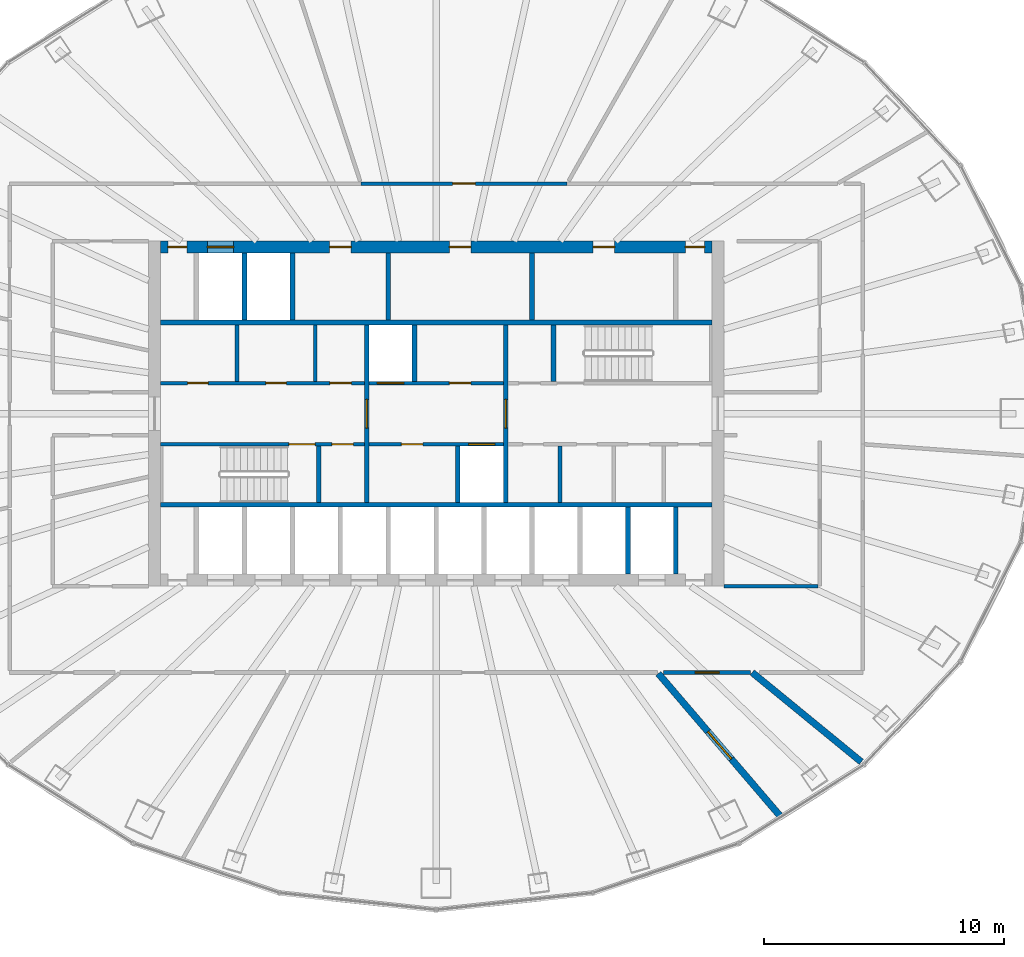
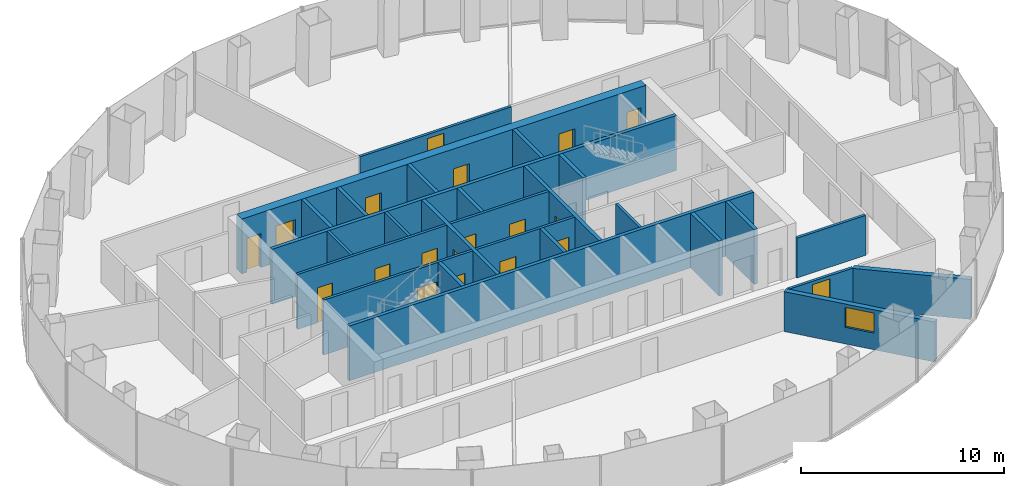
# One storey, part 9 of 11: 27 walls, 19 doors, 1 window, 20 openings.
"""IFC4 building model written with IfcOpenShell, lengths in metres."""

import ifcopenshell
import ifcopenshell.guid

model = None  # the IFC model being written
_history = None  # IfcOwnerHistory: only IFC2X3 demands one
_inside = {}  # id of a spatial element -> (the spatial element, [elements in it])
_under = {}  # id of a project, library or spatial element -> (it, [spatial elements below it])
_declared = {}  # id of a project -> (the project, [libraries it declares])
_typed = {}  # id of a type object -> (the type object, [elements of that type])
_made_of = {}  # id of a material, layer set ... -> (it, [elements and type objects made of it])


def new_model(schema):
    """Start an empty IFC model of exactly this schema.

    Asked for "IFC4X3", IfcOpenShell would pick the latest addendum, in which some entities
    have other attributes; the version numbers below select the first issue.
    IFC2X3 requires an IfcOwnerHistory on every rooted entity: one is made here for all.
    """
    global model, _history
    if schema == "IFC4X3":
        model = ifcopenshell.file(schema_version=(4, 3, 0, 0))
    else:
        model = ifcopenshell.file(schema=schema)
    _inside.clear()
    _under.clear()
    _declared.clear()
    _typed.clear()
    _made_of.clear()
    _history = None
    if model.schema == "IFC2X3":
        org = make("IfcOrganization", Name="unknown")
        user = make(
            "IfcPersonAndOrganization",
            ThePerson=make("IfcPerson", FamilyName="unknown"),
            TheOrganization=org,
        )
        app = make(
            "IfcApplication",
            ApplicationDeveloper=org,
            Version="unknown",
            ApplicationFullName="unknown",
            ApplicationIdentifier="unknown",
        )
        _history = make(
            "IfcOwnerHistory",
            OwningUser=user,
            OwningApplication=app,
            ChangeAction="ADDED",
            CreationDate=0,
        )
    return model


def make(cls, **values):
    """One entity of the class cls with the attributes given. An attribute that is None is left unset."""
    return model.create_entity(
        cls, **{name: value for name, value in values.items() if value is not None}
    )


def rooted(cls, **values):
    """An entity with a GlobalId (a new one), such as an element, a storey or a relation."""
    return make(cls, GlobalId=ifcopenshell.guid.new(), OwnerHistory=_history, **values)


def si_unit(unit_type, name, prefix=None):
    """IfcSIUnit, for example si_unit("LENGTHUNIT", "METRE", prefix="MILLI")."""
    return make("IfcSIUnit", UnitType=unit_type, Prefix=prefix, Name=name)


def assignment(units):
    """IfcUnitAssignment: the units of a project."""
    return None if units is None else make("IfcUnitAssignment", Units=units)


def point(xyz):
    """IfcCartesianPoint."""
    return None if xyz is None else make("IfcCartesianPoint", Coordinates=xyz)


def direction(xyz):
    """IfcDirection."""
    return None if xyz is None else make("IfcDirection", DirectionRatios=xyz)


def frame(location, z_axis=None, x_axis=None):
    """IfcAxis2Placement3D, a coordinate frame: its origin and axes. An axis left out is left unset."""
    return make(
        "IfcAxis2Placement3D",
        Location=point(location),
        Axis=direction(z_axis),
        RefDirection=direction(x_axis),
    )


def frame_2d(location, x_axis=None):
    """IfcAxis2Placement2D, a coordinate frame in the plane: its origin and x axis."""
    return make(
        "IfcAxis2Placement2D", Location=point(location), RefDirection=direction(x_axis)
    )


def origin():
    """The frame at (0, 0, 0) with its axes left unset."""
    return frame((0.0, 0.0, 0.0))


def place(relative_to, where):
    """IfcLocalPlacement: puts the frame where relative to a parent placement (None: the world)."""
    return make(
        "IfcLocalPlacement", PlacementRelTo=relative_to, RelativePlacement=where
    )


def context(
    kind, dimensions, precision=None, world=None, true_north=None, identifier=None
):
    """IfcGeometricRepresentationContext, for example the 3D "Model" context."""
    return make(
        "IfcGeometricRepresentationContext",
        ContextIdentifier=identifier,
        ContextType=kind,
        CoordinateSpaceDimension=dimensions,
        Precision=precision,
        WorldCoordinateSystem=world,
        TrueNorth=true_north,
    )


def subcontext(parent, identifier, kind, view, scale=None):
    """IfcGeometricRepresentationSubContext, for example "Body" below "Model"."""
    return make(
        "IfcGeometricRepresentationSubContext",
        ContextIdentifier=identifier,
        ContextType=kind,
        ParentContext=parent,
        TargetScale=scale,
        TargetView=view,
    )


def project(units=None, contexts=None):
    """IfcProject with its units and contexts."""
    return rooted(
        "IfcProject",
        Name="project",
        RepresentationContexts=contexts,
        UnitsInContext=assignment(units),
    )


def spatial(cls, under=None, at=None, **own):
    """A site, building, storey or space (cls), placed at a placement, below another one or the project."""
    s = rooted(cls, ObjectPlacement=at, **own)
    if under is not None:
        _under.setdefault(under.id(), (under, []))[1].append(s)
    return s


def profile(cls, at=None, kind="AREA", **sizes):
    """A parametric profile (cls). Its sizes go by their IFC names, for example OverallWidth=200.0."""
    return make(cls, ProfileType=kind, Position=at, **sizes)


def rectangle(**sizes):
    """IfcRectangleProfileDef."""
    return profile("IfcRectangleProfileDef", **sizes)


def extrude(swept, where, along, depth):
    """IfcExtrudedAreaSolid: the profile swept, set in the frame where, extruded along a direction by depth."""
    return make(
        "IfcExtrudedAreaSolid",
        SweptArea=swept,
        Position=where,
        ExtrudedDirection=direction(along),
        Depth=depth,
    )


def shape(context_of_items, identifier, shape_type, items):
    """IfcShapeRepresentation: the items that make up one representation, for example the "Body"."""
    return make(
        "IfcShapeRepresentation",
        ContextOfItems=context_of_items,
        RepresentationIdentifier=identifier,
        RepresentationType=shape_type,
        Items=items,
    )


def material(Name=None, Category=None):
    """IfcMaterial."""
    return make("IfcMaterial", Name=Name, Category=Category)


def layer(
    of_material, thickness, ventilated=None, Name=None, Category=None, Priority=None
):
    """IfcMaterialLayer: one layer of a wall or slab, of a material (None: an air gap)."""
    return make(
        "IfcMaterialLayer",
        Material=of_material,
        LayerThickness=thickness,
        IsVentilated=ventilated,
        Name=Name,
        Category=Category,
        Priority=Priority,
    )


def layer_set(layers, Name=None):
    """IfcMaterialLayerSet."""
    return make("IfcMaterialLayerSet", MaterialLayers=layers, LayerSetName=Name)


def made_of(thing, what):
    """Note that an element or type object is made of a material, layer set ...; save() writes the relation."""
    if what is not None:
        _made_of.setdefault(what.id(), (what, []))[1].append(thing)
    return thing


def type_object(cls, material=None, **own):
    """A type object (cls), such as IfcWallType, which elements share."""
    return made_of(rooted(cls, **own), material)


def element(
    cls,
    number,
    at=None,
    inside=None,
    cuts=None,
    type_object=None,
    material=None,
    context=None,
    identifier="Body",
    shape_type=None,
    held_by="IfcProductDefinitionShape",
    body=None,
    shapes=None,
    **own,
):
    """One element of the class cls, such as IfcWall. Its Tag is "e" and its number.

    at: its placement. inside: the storey or other place that contains it. cuts: it is an
    opening in that element (IfcRelVoidsElement). A single representation is given by context,
    identifier, shape_type and body (its items); several are given by shapes. held_by: the class
    of the entity that holds the representations. save() writes the other relations.
    """
    e = rooted(cls, Tag="e%d" % number, ObjectPlacement=at, **own)
    if body is not None:
        shapes = [shape(context, identifier, shape_type, body)]
    if shapes is not None:
        e.Representation = make(held_by, Representations=shapes)
    if inside is not None:
        _inside.setdefault(inside.id(), (inside, []))[1].append(e)
    if cuts is not None:
        rooted(
            "IfcRelVoidsElement", RelatingBuildingElement=cuts, RelatedOpeningElement=e
        )
    if type_object is not None:
        _typed.setdefault(type_object.id(), (type_object, []))[1].append(e)
    return made_of(e, material)


def fill(opening, filler):
    """IfcRelFillsElement: the door or window that sits in an opening."""
    return rooted(
        "IfcRelFillsElement",
        RelatingOpeningElement=opening,
        RelatedBuildingElement=filler,
    )


def aggregate(whole, parts):
    """IfcRelAggregates: a whole, such as a stair, and the parts it consists of."""
    return rooted("IfcRelAggregates", RelatingObject=whole, RelatedObjects=parts)


def save(model, path):
    """Write the relations noted so far, then the file.

    IfcRelAggregates (storeys below a building ...), IfcRelContainedInSpatialStructure (elements
    in a storey), IfcRelDefinesByType, IfcRelAssociatesMaterial and IfcRelDeclares: one each for
    every whole, place, type object, material and project.
    """
    for whole, parts in _under.values():
        aggregate(whole, parts)
    for where, things in _inside.values():
        rooted(
            "IfcRelContainedInSpatialStructure",
            RelatedElements=things,
            RelatingStructure=where,
        )
    for kind, things in _typed.values():
        rooted("IfcRelDefinesByType", RelatedObjects=things, RelatingType=kind)
    for what, things in _made_of.values():
        rooted("IfcRelAssociatesMaterial", RelatedObjects=things, RelatingMaterial=what)
    for by, libraries in _declared.values():
        rooted("IfcRelDeclares", RelatingContext=by, RelatedDefinitions=libraries)
    model.write(path)


model = new_model("IFC4")

# Units and contexts
model_context = context("Model", 3, precision=1e-05, world=origin(), true_north=direction((0.0, 1.0)))
body_context = subcontext(model_context, "Body", "Model", "MODEL_VIEW")
ifc_project = project(units=[si_unit("LENGTHUNIT", "METRE"), si_unit("AREAUNIT", "SQUARE_METRE"), si_unit("VOLUMEUNIT", "CUBIC_METRE"), si_unit("PLANEANGLEUNIT", "RADIAN"), si_unit("MASSUNIT", "GRAM", prefix="KILO")], contexts=[model_context])

# Site, building, storey
site_placement = place(None, origin())
site = spatial("IfcSite", under=ifc_project, at=site_placement, CompositionType="ELEMENT")
building_placement = place(site_placement, origin())
building = spatial("IfcBuilding", under=site, at=building_placement, Name="Siaravel Broadcast Tower", CompositionType="ELEMENT")
storey_placement = place(building_placement, frame((0.0, 0.0, 123.0)))
storey = spatial("IfcBuildingStorey", under=building, at=storey_placement, Name="L29", CompositionType="ELEMENT", Elevation=123.0)

# Wall, opening, window
ifc_material_1 = material(Name="Double-leaf acoustic partition", Category="gypsum")
ifc_layer_1 = layer(ifc_material_1, 0.280029296875)
ifc_layer_set_1 = layer_set([ifc_layer_1], Name="Double-leaf acoustic partition")
wall_type_1 = type_object("IfcWallType", Name="Acoustic double-leaf wall 280", PredefinedType="PARTITIONING", material=ifc_layer_set_1)
wall_1_placement = place(storey_placement, frame((14.38623046875, -16.829345703125, 0.0), z_axis=(0.0, 0.0, 1.0), x_axis=(-0.649784617, 0.76011838, 0.0)))
wall_1 = element("IfcWall", 1, at=wall_1_placement, inside=storey, type_object=wall_type_1, Name="L29 partition 9", PredefinedType="PARTITIONING", context=body_context, shape_type="SweptSolid", body=[
    extrude(rectangle(XDim=7.873046875, YDim=0.280029296875, at=frame_2d((3.9365234375, 0.0))), origin(), (0.0, 0.0, 1.0), 2.39990234375),
])
opening_1_placement = place(wall_1_placement, frame((3.1865234375, 0.0, 1.0)))
opening_1 = element("IfcOpeningElement", 2, at=opening_1_placement, cuts=wall_1, Name="Opening L29-W01", PredefinedType="OPENING", context=body_context, shape_type="SweptSolid", body=[
    extrude(rectangle(XDim=1.5, YDim=1.199951171875, at=frame_2d((0.75, 0.60009765625))), frame((0.0, 0.14990234375, 0.0), z_axis=(0.0, -1.0, 0.0), x_axis=(1.0, 0.0, 0.0)), (0.0, 0.0, 1.0), 0.300048828125),
])
ifc_material_2 = material(Name="Laminated acoustic glass", Category="glass")
window_type = type_object("IfcWindowType", Name="Studio viewing window 1500", PartitioningType="SINGLE_PANEL", PredefinedType="WINDOW", material=ifc_material_2)
window_placement = place(opening_1_placement, origin())
window = element("IfcWindow", 3, at=window_placement, inside=storey, type_object=window_type, Name="L29 viewing window to Post-production room", OverallHeight=1.199951171875, OverallWidth=1.5, PartitioningType="SINGLE_PANEL", PredefinedType="WINDOW", context=body_context, shape_type="SweptSolid", body=[
    extrude(rectangle(XDim=1.5, YDim=1.199951171875, at=frame_2d((0.75, 0.60009765625))), frame((0.0, 0.030029296875, 0.0), z_axis=(0.0, -1.0, 0.0), x_axis=(1.0, 0.0, 0.0)), (0.0, 0.0, 1.0), 0.06005859375),
])
fill(opening_1, window)

# Walls
wall_2_placement = place(storey_placement, frame((13.18505859375, -10.800048828125, 0.0), z_axis=(0.0, 0.0, 1.0), x_axis=(0.773609752, -0.633662333, 0.0)))
element("IfcWall", 4, at=wall_2_placement, inside=storey, type_object=wall_type_1, Name="L29 partition 19", PredefinedType="PARTITIONING", context=body_context, shape_type="SweptSolid", body=[
    extrude(rectangle(XDim=5.885986328125, YDim=0.280029296875, at=frame_2d((2.94287109375, 0.0))), origin(), (0.0, 0.0, 1.0), 2.39990234375),
])
ifc_material_3 = material(Name="Concrete blockwork", Category="masonry")
ifc_layer_2 = layer(ifc_material_3, 0.14990234375)
ifc_layer_set_2 = layer_set([ifc_layer_2], Name="Concrete blockwork")
wall_type_2 = type_object("IfcWallType", Name="Core partition 150", PredefinedType="PARTITIONING", material=ifc_layer_set_2)
for number, where, z_axis, x_axis, name in (
    (5, (-8.30908203125, 1.35009765625, 0.0), (0.0, 0.0, 1.0), (0.0, 1.0, 0.0), "L29 core partition PNW0"),
    (6, (-5.04296875, 1.35009765625, 0.0), (0.0, 0.0, 1.0), (0.0, 1.0, 0.0), "L29 core partition PNW1"),
    (7, (5.16796875, -3.699951171875, 0.0), (0.0, 0.0, 1.0), (0.0, 1.0, 0.0), "L29 core partition PSE0"),
):
    element("IfcWall", number, at=place(storey_placement, frame(where, z_axis=z_axis, x_axis=x_axis)), inside=storey, type_object=wall_type_2, Name=name, PredefinedType="PARTITIONING", context=body_context, shape_type="SweptSolid", body=[
        extrude(rectangle(XDim=2.349853515625, YDim=0.14990234375, at=frame_2d((1.1748046875, 0.0))), origin(), (0.0, 0.0, 1.0), 3.300048828125),
    ])
ifc_layer_3 = layer(ifc_material_3, 0.199951171875)
ifc_layer_set_3 = layer_set([ifc_layer_3], Name="Concrete blockwork")
wall_type_3 = type_object("IfcWallType", Name="Core partition 200", PredefinedType="PARTITIONING", material=ifc_layer_set_3)
for number, where, z_axis, x_axis, name in (
    (8, (-2.0, 3.89990234375, 0.0), (0.0, 0.0, 1.0), (0.0, 1.0, 0.0), "L29 core partition PFN2"),
    (9, (4.0, 3.89990234375, 0.0), (0.0, 0.0, 1.0), (0.0, 1.0, 0.0), "L29 core partition PFN4"),
):
    element("IfcWall", number, at=place(storey_placement, frame(where, z_axis=z_axis, x_axis=x_axis)), inside=storey, type_object=wall_type_3, Name=name, PredefinedType="PARTITIONING", context=body_context, shape_type="SweptSolid", body=[
        extrude(rectangle(XDim=2.800048828125, YDim=0.199951171875, at=frame_2d((1.39990234375, 0.0))), origin(), (0.0, 0.0, 1.0), 3.300048828125),
    ])

# Wall, openings, doors
ifc_material_4 = material(Name="Concrete C60/75", Category="concrete")
ifc_layer_4 = layer(ifc_material_4, 0.5)
ifc_layer_set_4 = layer_set([ifc_layer_4], Name="Concrete C60/75")
wall_type_4 = type_object("IfcWallType", Name="Core wall 500", PredefinedType="SHEAR", material=ifc_layer_set_4)
wall_3_placement = place(storey_placement, frame((-11.5, 6.949951171875, 0.0), z_axis=(0.0, 0.0, 1.0), x_axis=(1.0, 0.0, 0.0)))
wall_3 = element("IfcWall", 10, at=wall_3_placement, inside=storey, type_object=wall_type_4, Name="L29 core wall ON", PredefinedType="SHEAR", context=body_context, shape_type="SweptSolid", body=[
    extrude(rectangle(XDim=23.0, YDim=0.5, at=frame_2d((11.5, 0.0))), origin(), (0.0, 0.0, 1.0), 3.300048828125),
])
opening_2_placement = place(wall_3_placement, frame((1.949951171875, 0.0, 0.0)))
opening_2 = element("IfcOpeningElement", 11, at=opening_2_placement, cuts=wall_3, Name="Opening LD-SV2-L29", PredefinedType="OPENING", context=body_context, shape_type="SweptSolid", body=[
    extrude(rectangle(XDim=1.10009765625, YDim=2.199951171875, at=frame_2d((0.550048828125, 1.10009765625))), frame((0.0, 0.260009765625, 0.0), z_axis=(0.0, -1.0, 0.0), x_axis=(1.0, 0.0, 0.0)), (0.0, 0.0, 1.0), 0.52001953125),
])
opening_3_placement = place(wall_3_placement, frame((7.050048828125, 0.0, 0.0)))
opening_3 = element("IfcOpeningElement", 12, at=opening_3_placement, cuts=wall_3, Name="Opening L29-DFN2", PredefinedType="OPENING", context=body_context, shape_type="SweptSolid", body=[
    extrude(rectangle(XDim=0.89990234375, YDim=2.10009765625, at=frame_2d((0.449951171875, 1.050048828125))), frame((0.0, 0.260009765625, 0.0), z_axis=(0.0, -1.0, 0.0), x_axis=(1.0, 0.0, 0.0)), (0.0, 0.0, 1.0), 0.52001953125),
])
opening_4_placement = place(wall_3_placement, frame((12.050048828125, 0.0, 0.0)))
opening_4 = element("IfcOpeningElement", 13, at=opening_4_placement, cuts=wall_3, Name="Opening L29-DFN4", PredefinedType="OPENING", context=body_context, shape_type="SweptSolid", body=[
    extrude(rectangle(XDim=0.89990234375, YDim=2.10009765625, at=frame_2d((0.449951171875, 1.050048828125))), frame((0.0, 0.260009765625, 0.0), z_axis=(0.0, -1.0, 0.0), x_axis=(1.0, 0.0, 0.0)), (0.0, 0.0, 1.0), 0.52001953125),
])
opening_5_placement = place(wall_3_placement, frame((18.050048828125, 0.0, 0.0)))
opening_5 = element("IfcOpeningElement", 14, at=opening_5_placement, cuts=wall_3, Name="Opening L29-DFN7", PredefinedType="OPENING", context=body_context, shape_type="SweptSolid", body=[
    extrude(rectangle(XDim=0.89990234375, YDim=2.10009765625, at=frame_2d((0.449951171875, 1.050048828125))), frame((0.0, 0.260009765625, 0.0), z_axis=(0.0, -1.0, 0.0), x_axis=(1.0, 0.0, 0.0)), (0.0, 0.0, 1.0), 0.52001953125),
])
opening_6_placement = place(wall_3_placement, frame((0.300048828125, 0.0, 0.0)))
opening_6 = element("IfcOpeningElement", 15, at=opening_6_placement, cuts=wall_3, Name="Opening L29-DRNW", PredefinedType="OPENING", context=body_context, shape_type="SweptSolid", body=[
    extrude(rectangle(XDim=0.800048828125, YDim=2.050048828125, at=frame_2d((0.39990234375, 1.02490234375))), frame((0.0, 0.260009765625, 0.0), z_axis=(0.0, -1.0, 0.0), x_axis=(1.0, 0.0, 0.0)), (0.0, 0.0, 1.0), 0.52001953125),
])
opening_7_placement = place(wall_3_placement, frame((21.89990234375, 0.0, 0.0)))
opening_7 = element("IfcOpeningElement", 16, at=opening_7_placement, cuts=wall_3, Name="Opening L29-DRNE", PredefinedType="OPENING", context=body_context, shape_type="SweptSolid", body=[
    extrude(rectangle(XDim=0.800048828125, YDim=2.050048828125, at=frame_2d((0.39990234375, 1.02490234375))), frame((0.0, 0.260009765625, 0.0), z_axis=(0.0, -1.0, 0.0), x_axis=(1.0, 0.0, 0.0)), (0.0, 0.0, 1.0), 0.52001953125),
])
ifc_material_5 = material(Name="Timber veneer", Category="wood")
door_type_1 = type_object("IfcDoorType", Name="Core room door 900", OperationType="SINGLE_SWING_LEFT", PredefinedType="DOOR", material=ifc_material_5)
door_1_placement = place(opening_3_placement, origin())
door_1 = element("IfcDoor", 17, at=door_1_placement, inside=storey, type_object=door_type_1, Name="L29 door DFN2", OperationType="SINGLE_SWING_LEFT", OverallHeight=2.10009765625, OverallWidth=0.89990234375, PredefinedType="DOOR", context=body_context, shape_type="SweptSolid", body=[
    extrude(rectangle(XDim=0.89990234375, YDim=2.10009765625, at=frame_2d((0.449951171875, 1.050048828125))), frame((0.0, 0.02490234375, 0.0), z_axis=(0.0, -1.0, 0.0), x_axis=(1.0, 0.0, 0.0)), (0.0, 0.0, 1.0), 0.050048828125),
])
fill(opening_3, door_1)
door_2_placement = place(opening_4_placement, origin())
door_2 = element("IfcDoor", 18, at=door_2_placement, inside=storey, type_object=door_type_1, Name="L29 door DFN4", OperationType="SINGLE_SWING_LEFT", OverallHeight=2.10009765625, OverallWidth=0.89990234375, PredefinedType="DOOR", context=body_context, shape_type="SweptSolid", body=[
    extrude(rectangle(XDim=0.89990234375, YDim=2.10009765625, at=frame_2d((0.449951171875, 1.050048828125))), frame((0.0, 0.02490234375, 0.0), z_axis=(0.0, -1.0, 0.0), x_axis=(1.0, 0.0, 0.0)), (0.0, 0.0, 1.0), 0.050048828125),
])
fill(opening_4, door_2)
door_3_placement = place(opening_5_placement, origin())
door_3 = element("IfcDoor", 19, at=door_3_placement, inside=storey, type_object=door_type_1, Name="L29 door DFN7", OperationType="SINGLE_SWING_LEFT", OverallHeight=2.10009765625, OverallWidth=0.89990234375, PredefinedType="DOOR", context=body_context, shape_type="SweptSolid", body=[
    extrude(rectangle(XDim=0.89990234375, YDim=2.10009765625, at=frame_2d((0.449951171875, 1.050048828125))), frame((0.0, 0.02490234375, 0.0), z_axis=(0.0, -1.0, 0.0), x_axis=(1.0, 0.0, 0.0)), (0.0, 0.0, 1.0), 0.050048828125),
])
fill(opening_5, door_3)
ifc_material_6 = material(Name="Steel", Category="steel")
door_type_2 = type_object("IfcDoorType", Name="Riser door 800", OperationType="SINGLE_SWING_LEFT", PredefinedType="DOOR", material=ifc_material_6)
door_4_placement = place(opening_6_placement, origin())
door_4 = element("IfcDoor", 20, at=door_4_placement, inside=storey, type_object=door_type_2, Name="L29 door DRNW", OperationType="SINGLE_SWING_LEFT", OverallHeight=2.050048828125, OverallWidth=0.800048828125, PredefinedType="DOOR", context=body_context, shape_type="SweptSolid", body=[
    extrude(rectangle(XDim=0.800048828125, YDim=2.050048828125, at=frame_2d((0.39990234375, 1.02490234375))), frame((0.0, 0.02490234375, 0.0), z_axis=(0.0, -1.0, 0.0), x_axis=(1.0, 0.0, 0.0)), (0.0, 0.0, 1.0), 0.050048828125),
])
fill(opening_6, door_4)
door_5_placement = place(opening_7_placement, origin())
door_5 = element("IfcDoor", 21, at=door_5_placement, inside=storey, type_object=door_type_2, Name="L29 door DRNE", OperationType="SINGLE_SWING_LEFT", OverallHeight=2.050048828125, OverallWidth=0.800048828125, PredefinedType="DOOR", context=body_context, shape_type="SweptSolid", body=[
    extrude(rectangle(XDim=0.800048828125, YDim=2.050048828125, at=frame_2d((0.39990234375, 1.02490234375))), frame((0.0, 0.02490234375, 0.0), z_axis=(0.0, -1.0, 0.0), x_axis=(1.0, 0.0, 0.0)), (0.0, 0.0, 1.0), 0.050048828125),
])
fill(opening_7, door_5)
ifc_material_7 = material(Name="Stainless steel 316L", Category="steel")
door_type_3 = type_object("IfcDoorType", Name="Service lift landing door 1100", OperationType="DOUBLE_DOOR_SLIDING", PredefinedType="DOOR", material=ifc_material_7)
door_6_placement = place(opening_2_placement, origin())
door_6 = element("IfcDoor", 22, at=door_6_placement, inside=storey, type_object=door_type_3, Name="Landing door SV2 L29", OperationType="DOUBLE_DOOR_SLIDING", OverallHeight=2.199951171875, OverallWidth=1.10009765625, PredefinedType="DOOR", context=body_context, shape_type="SweptSolid", body=[
    extrude(rectangle(XDim=1.10009765625, YDim=2.199951171875, at=frame_2d((0.550048828125, 1.10009765625))), frame((0.0, 0.02490234375, 0.0), z_axis=(0.0, -1.0, 0.0), x_axis=(1.0, 0.0, 0.0)), (0.0, 0.0, 1.0), 0.050048828125),
])
fill(opening_2, door_6)

ifc_material_8 = material(Name="Gypsum board partition", Category="gypsum")
ifc_layer_5 = layer(ifc_material_8, 0.14990234375)
ifc_layer_set_5 = layer_set([ifc_layer_5], Name="Gypsum board partition")
wall_type_5 = type_object("IfcWallType", Name="Corridor wall 150", PredefinedType="PARTITIONING", material=ifc_layer_set_5)
wall_4_placement = place(storey_placement, frame((-11.5, 1.27490234375, 0.0), z_axis=(0.0, 0.0, 1.0), x_axis=(1.0, 0.0, 0.0)))
wall_4 = element("IfcWall", 23, at=wall_4_placement, inside=storey, type_object=wall_type_5, Name="L29 core partition CNW", PredefinedType="PARTITIONING", context=body_context, shape_type="SweptSolid", body=[
    extrude(rectangle(XDim=8.5, YDim=0.14990234375, at=frame_2d((4.25, 0.0))), origin(), (0.0, 0.0, 1.0), 3.300048828125),
])
opening_8_placement = place(wall_4_placement, frame((1.133056640625, 0.0, 0.0)))
opening_8 = element("IfcOpeningElement", 24, at=opening_8_placement, cuts=wall_4, Name="Opening L29-DNW0", PredefinedType="OPENING", context=body_context, shape_type="SweptSolid", body=[
    extrude(rectangle(XDim=0.85009765625, YDim=2.10009765625, at=frame_2d((0.425048828125, 1.050048828125))), frame((0.0, 0.0849609375, 0.0), z_axis=(0.0, -1.0, 0.0), x_axis=(1.0, 0.0, 0.0)), (0.0, 0.0, 1.0), 0.169921875),
])
opening_9_placement = place(wall_4_placement, frame((4.39892578125, 0.0, 0.0)))
opening_9 = element("IfcOpeningElement", 25, at=opening_9_placement, cuts=wall_4, Name="Opening L29-DNW1", PredefinedType="OPENING", context=body_context, shape_type="SweptSolid", body=[
    extrude(rectangle(XDim=0.85009765625, YDim=2.10009765625, at=frame_2d((0.425048828125, 1.050048828125))), frame((0.0, 0.0849609375, 0.0), z_axis=(0.0, -1.0, 0.0), x_axis=(1.0, 0.0, 0.0)), (0.0, 0.0, 1.0), 0.169921875),
])
opening_10_placement = place(wall_4_placement, frame((7.06591796875, 0.0, 0.0)))
opening_10 = element("IfcOpeningElement", 26, at=opening_10_placement, cuts=wall_4, Name="Opening L29-DNW2", PredefinedType="OPENING", context=body_context, shape_type="SweptSolid", body=[
    extrude(rectangle(XDim=0.89990234375, YDim=2.10009765625, at=frame_2d((0.449951171875, 1.050048828125))), frame((0.0, 0.0849609375, 0.0), z_axis=(0.0, -1.0, 0.0), x_axis=(1.0, 0.0, 0.0)), (0.0, 0.0, 1.0), 0.169921875),
])
door_7_placement = place(opening_10_placement, origin())
door_7 = element("IfcDoor", 27, at=door_7_placement, inside=storey, type_object=door_type_1, Name="L29 door DNW2", OperationType="SINGLE_SWING_LEFT", OverallHeight=2.10009765625, OverallWidth=0.89990234375, PredefinedType="DOOR", context=body_context, shape_type="SweptSolid", body=[
    extrude(rectangle(XDim=0.89990234375, YDim=2.10009765625, at=frame_2d((0.449951171875, 1.050048828125))), frame((0.0, 0.02490234375, 0.0), z_axis=(0.0, -1.0, 0.0), x_axis=(1.0, 0.0, 0.0)), (0.0, 0.0, 1.0), 0.050048828125),
])
fill(opening_10, door_7)
door_type_4 = type_object("IfcDoorType", Name="Core toilet door 850", OperationType="SINGLE_SWING_LEFT", PredefinedType="DOOR", material=ifc_material_5)
door_8_placement = place(opening_8_placement, origin())
door_8 = element("IfcDoor", 28, at=door_8_placement, inside=storey, type_object=door_type_4, Name="L29 door DNW0", OperationType="SINGLE_SWING_LEFT", OverallHeight=2.10009765625, OverallWidth=0.85009765625, PredefinedType="DOOR", context=body_context, shape_type="SweptSolid", body=[
    extrude(rectangle(XDim=0.85009765625, YDim=2.10009765625, at=frame_2d((0.425048828125, 1.050048828125))), frame((0.0, 0.02490234375, 0.0), z_axis=(0.0, -1.0, 0.0), x_axis=(1.0, 0.0, 0.0)), (0.0, 0.0, 1.0), 0.050048828125),
])
fill(opening_8, door_8)
door_9_placement = place(opening_9_placement, origin())
door_9 = element("IfcDoor", 29, at=door_9_placement, inside=storey, type_object=door_type_4, Name="L29 door DNW1", OperationType="SINGLE_SWING_LEFT", OverallHeight=2.10009765625, OverallWidth=0.85009765625, PredefinedType="DOOR", context=body_context, shape_type="SweptSolid", body=[
    extrude(rectangle(XDim=0.85009765625, YDim=2.10009765625, at=frame_2d((0.425048828125, 1.050048828125))), frame((0.0, 0.02490234375, 0.0), z_axis=(0.0, -1.0, 0.0), x_axis=(1.0, 0.0, 0.0)), (0.0, 0.0, 1.0), 0.050048828125),
])
fill(opening_9, door_9)

# Wall, opening, door
wall_5_placement = place(storey_placement, frame((5.464111328125, 9.60009765625, 0.0), z_axis=(0.0, 0.0, 1.0), x_axis=(-1.0, 0.0, 0.0)))
wall_5 = element("IfcWall", 30, at=wall_5_placement, inside=storey, type_object=wall_type_5, Name="L29 partition 7", PredefinedType="PARTITIONING", context=body_context, shape_type="SweptSolid", body=[
    extrude(rectangle(XDim=8.603515625, YDim=0.14990234375, at=frame_2d((4.3017578125, 0.0))), origin(), (0.0, 0.0, 1.0), 2.39990234375),
])
opening_11_placement = place(wall_5_placement, frame((3.826904296875, 0.0, 0.0)))
opening_11 = element("IfcOpeningElement", 31, at=opening_11_placement, cuts=wall_5, Name="Opening L29-006", PredefinedType="OPENING", context=body_context, shape_type="SweptSolid", body=[
    extrude(rectangle(XDim=0.949951171875, YDim=2.14990234375, at=frame_2d((0.47509765625, 1.074951171875))), frame((0.0, 0.0849609375, 0.0), z_axis=(0.0, -1.0, 0.0), x_axis=(1.0, 0.0, 0.0)), (0.0, 0.0, 1.0), 0.169921875),
])
door_type_5 = type_object("IfcDoorType", Name="Office door 950", OperationType="SINGLE_SWING_LEFT", PredefinedType="DOOR", material=ifc_material_5)
door_10_placement = place(opening_11_placement, origin())
door_10 = element("IfcDoor", 32, at=door_10_placement, inside=storey, type_object=door_type_5, Name="L29 door to Design studio", OperationType="SINGLE_SWING_RIGHT", OverallHeight=2.14990234375, OverallWidth=0.949951171875, PredefinedType="DOOR", context=body_context, shape_type="SweptSolid", body=[
    extrude(rectangle(XDim=0.949951171875, YDim=2.14990234375, at=frame_2d((0.47509765625, 1.074951171875))), frame((0.0, 0.02490234375, 0.0), z_axis=(0.0, -1.0, 0.0), x_axis=(1.0, 0.0, 0.0)), (0.0, 0.0, 1.0), 0.050048828125),
])
fill(opening_11, door_10)

# Wall
wall_6_placement = place(storey_placement, frame((15.923095703125, -7.199951171875, 0.0), z_axis=(0.0, 0.0, 1.0), x_axis=(-1.0, 0.0, 0.0)))
element("IfcWall", 33, at=wall_6_placement, inside=storey, type_object=wall_type_5, Name="L29 partition 29", PredefinedType="PARTITIONING", context=body_context, shape_type="SweptSolid", body=[
    extrude(rectangle(XDim=3.923095703125, YDim=0.14990234375, at=frame_2d((1.96142578125, 0.0))), origin(), (0.0, 0.0, 1.0), 2.39990234375),
])

# Wall, opening, door
wall_7_placement = place(storey_placement, frame((9.482421875, -10.800048828125, 0.0), z_axis=(0.0, 0.0, 1.0), x_axis=(1.0, 0.0, 0.0)))
wall_7 = element("IfcWall", 34, at=wall_7_placement, inside=storey, type_object=wall_type_5, Name="L29 partition 31", PredefinedType="PARTITIONING", context=body_context, shape_type="SweptSolid", body=[
    extrude(rectangle(XDim=3.63916015625, YDim=0.14990234375, at=frame_2d((1.819580078125, 0.0))), origin(), (0.0, 0.0, 1.0), 2.39990234375),
])
opening_12_placement = place(wall_7_placement, frame((1.319580078125, 0.0, 0.0)))
opening_12 = element("IfcOpeningElement", 35, at=opening_12_placement, cuts=wall_7, Name="Opening L29-017", PredefinedType="OPENING", context=body_context, shape_type="SweptSolid", body=[
    extrude(rectangle(XDim=1.0, YDim=2.199951171875, at=frame_2d((0.5, 1.10009765625))), frame((0.0, 0.0849609375, 0.0), z_axis=(0.0, -1.0, 0.0), x_axis=(1.0, 0.0, 0.0)), (0.0, 0.0, 1.0), 0.169921875),
])
ifc_material_9 = material(Name="Acoustic timber and steel", Category="steel")
door_type_6 = type_object("IfcDoorType", Name="Acoustic door 1000", OperationType="SINGLE_SWING_LEFT", PredefinedType="DOOR", material=ifc_material_9)
door_11_placement = place(opening_12_placement, origin())
door_11 = element("IfcDoor", 36, at=door_11_placement, inside=storey, type_object=door_type_6, Name="L29 door to Post-production room", OperationType="SINGLE_SWING_LEFT", OverallHeight=2.199951171875, OverallWidth=1.0, PredefinedType="DOOR", context=body_context, shape_type="SweptSolid", body=[
    extrude(rectangle(XDim=1.0, YDim=2.199951171875, at=frame_2d((0.5, 1.10009765625))), frame((0.0, 0.02490234375, 0.0), z_axis=(0.0, -1.0, 0.0), x_axis=(1.0, 0.0, 0.0)), (0.0, 0.0, 1.0), 0.050048828125),
])
fill(opening_12, door_11)

# Wall, openings, doors
ifc_layer_6 = layer(ifc_material_4, 0.14990234375)
ifc_layer_set_6 = layer_set([ifc_layer_6], Name="Concrete C60/75")
wall_type_6 = type_object("IfcWallType", Name="Shaft wall 150", PredefinedType="SHEAR", material=ifc_layer_set_6)
wall_8_placement = place(storey_placement, frame((-11.5, -1.27490234375, 0.0), z_axis=(0.0, 0.0, 1.0), x_axis=(1.0, 0.0, 0.0)))
wall_8 = element("IfcWall", 37, at=wall_8_placement, inside=storey, type_object=wall_type_6, Name="L29 core wall CSW", PredefinedType="SHEAR", context=body_context, shape_type="SweptSolid", body=[
    extrude(rectangle(XDim=8.5, YDim=0.14990234375, at=frame_2d((4.25, 0.0))), origin(), (0.0, 0.0, 1.0), 3.300048828125),
])
opening_13_placement = place(wall_8_placement, frame((5.35009765625, 0.0, 0.0)))
opening_13 = element("IfcOpeningElement", 38, at=opening_13_placement, cuts=wall_8, Name="Opening L29-DS-1", PredefinedType="OPENING", context=body_context, shape_type="SweptSolid", body=[
    extrude(rectangle(XDim=1.10009765625, YDim=2.14990234375, at=frame_2d((0.550048828125, 1.074951171875))), frame((0.0, 0.0849609375, 0.0), z_axis=(0.0, -1.0, 0.0), x_axis=(1.0, 0.0, 0.0)), (0.0, 0.0, 1.0), 0.169921875),
])
opening_14_placement = place(wall_8_placement, frame((7.14990234375, 0.0, 0.0)))
opening_14 = element("IfcOpeningElement", 39, at=opening_14_placement, cuts=wall_8, Name="Opening L29-DSW0", PredefinedType="OPENING", context=body_context, shape_type="SweptSolid", body=[
    extrude(rectangle(XDim=0.89990234375, YDim=2.10009765625, at=frame_2d((0.449951171875, 1.050048828125))), frame((0.0, 0.0849609375, 0.0), z_axis=(0.0, -1.0, 0.0), x_axis=(1.0, 0.0, 0.0)), (0.0, 0.0, 1.0), 0.169921875),
])
door_12_placement = place(opening_14_placement, origin())
door_12 = element("IfcDoor", 40, at=door_12_placement, inside=storey, type_object=door_type_1, Name="L29 door DSW0", OperationType="SINGLE_SWING_LEFT", OverallHeight=2.10009765625, OverallWidth=0.89990234375, PredefinedType="DOOR", context=body_context, shape_type="SweptSolid", body=[
    extrude(rectangle(XDim=0.89990234375, YDim=2.10009765625, at=frame_2d((0.449951171875, 1.050048828125))), frame((0.0, 0.02490234375, 0.0), z_axis=(0.0, -1.0, 0.0), x_axis=(1.0, 0.0, 0.0)), (0.0, 0.0, 1.0), 0.050048828125),
])
fill(opening_14, door_12)
door_type_7 = type_object("IfcDoorType", Name="Stair door 1100", OperationType="SINGLE_SWING_LEFT", PredefinedType="DOOR", material=ifc_material_6)
door_13_placement = place(opening_13_placement, origin())
door_13 = element("IfcDoor", 41, at=door_13_placement, inside=storey, type_object=door_type_7, Name="L29 door DS-1", OperationType="SINGLE_SWING_LEFT", OverallHeight=2.14990234375, OverallWidth=1.10009765625, PredefinedType="DOOR", context=body_context, shape_type="SweptSolid", body=[
    extrude(rectangle(XDim=1.10009765625, YDim=2.14990234375, at=frame_2d((0.550048828125, 1.074951171875))), frame((0.0, 0.02490234375, 0.0), z_axis=(0.0, -1.0, 0.0), x_axis=(1.0, 0.0, 0.0)), (0.0, 0.0, 1.0), 0.050048828125),
])
fill(opening_13, door_13)

wall_9_placement = place(storey_placement, frame((-2.800048828125, -1.27490234375, 0.0), z_axis=(0.0, 0.0, 1.0), x_axis=(1.0, 0.0, 0.0)))
wall_9 = element("IfcWall", 42, at=wall_9_placement, inside=storey, type_object=wall_type_6, Name="L29 core wall CSM", PredefinedType="SHEAR", context=body_context, shape_type="SweptSolid", body=[
    extrude(rectangle(XDim=5.60009765625, YDim=0.14990234375, at=frame_2d((2.800048828125, 0.0))), origin(), (0.0, 0.0, 1.0), 3.300048828125),
])
opening_15_placement = place(wall_9_placement, frame((4.14990234375, 0.0, 0.0)))
opening_15 = element("IfcOpeningElement", 43, at=opening_15_placement, cuts=wall_9, Name="Opening LD-FL2-L29", PredefinedType="OPENING", context=body_context, shape_type="SweptSolid", body=[
    extrude(rectangle(XDim=1.10009765625, YDim=2.199951171875, at=frame_2d((0.550048828125, 1.10009765625))), frame((0.0, 0.0849609375, 0.0), z_axis=(0.0, -1.0, 0.0), x_axis=(1.0, 0.0, 0.0)), (0.0, 0.0, 1.0), 0.169921875),
])
opening_16_placement = place(wall_9_placement, frame((1.35009765625, 0.0, 0.0)))
opening_16 = element("IfcOpeningElement", 44, at=opening_16_placement, cuts=wall_9, Name="Opening L29-DSM0", PredefinedType="OPENING", context=body_context, shape_type="SweptSolid", body=[
    extrude(rectangle(XDim=0.89990234375, YDim=2.10009765625, at=frame_2d((0.449951171875, 1.050048828125))), frame((0.0, 0.0849609375, 0.0), z_axis=(0.0, -1.0, 0.0), x_axis=(1.0, 0.0, 0.0)), (0.0, 0.0, 1.0), 0.169921875),
])
door_14_placement = place(opening_16_placement, origin())
door_14 = element("IfcDoor", 45, at=door_14_placement, inside=storey, type_object=door_type_1, Name="L29 door DSM0", OperationType="SINGLE_SWING_LEFT", OverallHeight=2.10009765625, OverallWidth=0.89990234375, PredefinedType="DOOR", context=body_context, shape_type="SweptSolid", body=[
    extrude(rectangle(XDim=0.89990234375, YDim=2.10009765625, at=frame_2d((0.449951171875, 1.050048828125))), frame((0.0, 0.02490234375, 0.0), z_axis=(0.0, -1.0, 0.0), x_axis=(1.0, 0.0, 0.0)), (0.0, 0.0, 1.0), 0.050048828125),
])
fill(opening_16, door_14)
door_type_8 = type_object("IfcDoorType", Name="Firefighting lift landing door 1100", OperationType="DOUBLE_DOOR_SLIDING", PredefinedType="DOOR", material=ifc_material_7)
door_15_placement = place(opening_15_placement, origin())
door_15 = element("IfcDoor", 46, at=door_15_placement, inside=storey, type_object=door_type_8, Name="Landing door FL2 L29", OperationType="DOUBLE_DOOR_SLIDING", OverallHeight=2.199951171875, OverallWidth=1.10009765625, PredefinedType="DOOR", context=body_context, shape_type="SweptSolid", body=[
    extrude(rectangle(XDim=1.10009765625, YDim=2.199951171875, at=frame_2d((0.550048828125, 1.10009765625))), frame((0.0, 0.02490234375, 0.0), z_axis=(0.0, -1.0, 0.0), x_axis=(1.0, 0.0, 0.0)), (0.0, 0.0, 1.0), 0.050048828125),
])
fill(opening_15, door_15)

wall_10_placement = place(storey_placement, frame((-2.800048828125, 1.27490234375, 0.0), z_axis=(0.0, 0.0, 1.0), x_axis=(1.0, 0.0, 0.0)))
wall_10 = element("IfcWall", 47, at=wall_10_placement, inside=storey, type_object=wall_type_6, Name="L29 core wall CNM", PredefinedType="SHEAR", context=body_context, shape_type="SweptSolid", body=[
    extrude(rectangle(XDim=5.60009765625, YDim=0.14990234375, at=frame_2d((2.800048828125, 0.0))), origin(), (0.0, 0.0, 1.0), 3.300048828125),
])
opening_17_placement = place(wall_10_placement, frame((0.35009765625, 0.0, 0.0)))
opening_17 = element("IfcOpeningElement", 48, at=opening_17_placement, cuts=wall_10, Name="Opening LD-FL1-L29", PredefinedType="OPENING", context=body_context, shape_type="SweptSolid", body=[
    extrude(rectangle(XDim=1.10009765625, YDim=2.199951171875, at=frame_2d((0.550048828125, 1.10009765625))), frame((0.0, 0.0849609375, 0.0), z_axis=(0.0, -1.0, 0.0), x_axis=(1.0, 0.0, 0.0)), (0.0, 0.0, 1.0), 0.169921875),
])
opening_18_placement = place(wall_10_placement, frame((3.35009765625, 0.0, 0.0)))
opening_18 = element("IfcOpeningElement", 49, at=opening_18_placement, cuts=wall_10, Name="Opening L29-DNM0", PredefinedType="OPENING", context=body_context, shape_type="SweptSolid", body=[
    extrude(rectangle(XDim=0.89990234375, YDim=2.10009765625, at=frame_2d((0.449951171875, 1.050048828125))), frame((0.0, 0.0849609375, 0.0), z_axis=(0.0, -1.0, 0.0), x_axis=(1.0, 0.0, 0.0)), (0.0, 0.0, 1.0), 0.169921875),
])
door_16_placement = place(opening_18_placement, origin())
door_16 = element("IfcDoor", 50, at=door_16_placement, inside=storey, type_object=door_type_1, Name="L29 door DNM0", OperationType="SINGLE_SWING_LEFT", OverallHeight=2.10009765625, OverallWidth=0.89990234375, PredefinedType="DOOR", context=body_context, shape_type="SweptSolid", body=[
    extrude(rectangle(XDim=0.89990234375, YDim=2.10009765625, at=frame_2d((0.449951171875, 1.050048828125))), frame((0.0, 0.02490234375, 0.0), z_axis=(0.0, -1.0, 0.0), x_axis=(1.0, 0.0, 0.0)), (0.0, 0.0, 1.0), 0.050048828125),
])
fill(opening_18, door_16)
door_17_placement = place(opening_17_placement, origin())
door_17 = element("IfcDoor", 51, at=door_17_placement, inside=storey, type_object=door_type_8, Name="Landing door FL1 L29", OperationType="DOUBLE_DOOR_SLIDING", OverallHeight=2.199951171875, OverallWidth=1.10009765625, PredefinedType="DOOR", context=body_context, shape_type="SweptSolid", body=[
    extrude(rectangle(XDim=1.10009765625, YDim=2.199951171875, at=frame_2d((0.550048828125, 1.10009765625))), frame((0.0, 0.02490234375, 0.0), z_axis=(0.0, -1.0, 0.0), x_axis=(1.0, 0.0, 0.0)), (0.0, 0.0, 1.0), 0.050048828125),
])
fill(opening_17, door_17)

# Walls
ifc_layer_7 = layer(ifc_material_4, 0.199951171875)
ifc_layer_set_7 = layer_set([ifc_layer_7], Name="Concrete C60/75")
wall_type_7 = type_object("IfcWallType", Name="Shaft wall 200", PredefinedType="SHEAR", material=ifc_layer_set_7)
for number, where, z_axis, x_axis, name in (
    (52, (-11.5, -3.800048828125, 0.0), (0.0, 0.0, 1.0), (1.0, 0.0, 0.0), "L29 core wall BS"),
    (53, (-11.5, 3.800048828125, 0.0), (0.0, 0.0, 1.0), (1.0, 0.0, 0.0), "L29 core wall BN"),
):
    element("IfcWall", number, at=place(storey_placement, frame(where, z_axis=z_axis, x_axis=x_axis)), inside=storey, type_object=wall_type_7, Name=name, PredefinedType="SHEAR", context=body_context, shape_type="SweptSolid", body=[
        extrude(rectangle(XDim=23.0, YDim=0.199951171875, at=frame_2d((11.5, 0.0))), origin(), (0.0, 0.0, 1.0), 3.300048828125),
    ])
for number, where, z_axis, x_axis, name in (
    (54, (8.0, -6.699951171875, 0.0), (0.0, 0.0, 1.0), (0.0, 1.0, 0.0), "L29 core wall SWS9"),
    (55, (10.0, -6.699951171875, 0.0), (0.0, 0.0, 1.0), (0.0, 1.0, 0.0), "L29 core wall SWS10"),
    (56, (-8.0, 3.89990234375, 0.0), (0.0, 0.0, 1.0), (0.0, 1.0, 0.0), "L29 core wall SWN1"),
    (57, (-6.0, 3.89990234375, 0.0), (0.0, 0.0, 1.0), (0.0, 1.0, 0.0), "L29 core wall SWN2"),
):
    element("IfcWall", number, at=place(storey_placement, frame(where, z_axis=z_axis, x_axis=x_axis)), inside=storey, type_object=wall_type_7, Name=name, PredefinedType="SHEAR", context=body_context, shape_type="SweptSolid", body=[
        extrude(rectangle(XDim=2.800048828125, YDim=0.199951171875, at=frame_2d((1.39990234375, 0.0))), origin(), (0.0, 0.0, 1.0), 3.300048828125),
    ])

# Wall, opening, door
wall_11_placement = place(storey_placement, frame((-2.89990234375, -3.699951171875, 0.0), z_axis=(0.0, 0.0, 1.0), x_axis=(0.0, 1.0, 0.0)))
wall_11 = element("IfcWall", 58, at=wall_11_placement, inside=storey, type_object=wall_type_7, Name="L29 core wall LW", PredefinedType="SHEAR", context=body_context, shape_type="SweptSolid", body=[
    extrude(rectangle(XDim=7.39990234375, YDim=0.199951171875, at=frame_2d((3.699951171875, 0.0))), origin(), (0.0, 0.0, 1.0), 3.300048828125),
])
opening_19_placement = place(wall_11_placement, frame((3.10009765625, 0.0, 0.0)))
opening_19 = element("IfcOpeningElement", 59, at=opening_19_placement, cuts=wall_11, Name="Opening L29-DL-W", PredefinedType="OPENING", context=body_context, shape_type="SweptSolid", body=[
    extrude(rectangle(XDim=1.199951171875, YDim=2.199951171875, at=frame_2d((0.60009765625, 1.10009765625))), frame((0.0, 0.10986328125, 0.0), z_axis=(0.0, -1.0, 0.0), x_axis=(1.0, 0.0, 0.0)), (0.0, 0.0, 1.0), 0.219970703125),
])
door_type_9 = type_object("IfcDoorType", Name="Firefighting lobby door 1200", OperationType="SINGLE_SWING_LEFT", PredefinedType="DOOR", material=ifc_material_6)
door_18_placement = place(opening_19_placement, origin())
door_18 = element("IfcDoor", 60, at=door_18_placement, inside=storey, type_object=door_type_9, Name="L29 door DL-W", OperationType="SINGLE_SWING_LEFT", OverallHeight=2.199951171875, OverallWidth=1.199951171875, PredefinedType="DOOR", context=body_context, shape_type="SweptSolid", body=[
    extrude(rectangle(XDim=1.199951171875, YDim=2.199951171875, at=frame_2d((0.60009765625, 1.10009765625))), frame((0.0, 0.02490234375, 0.0), z_axis=(0.0, -1.0, 0.0), x_axis=(1.0, 0.0, 0.0)), (0.0, 0.0, 1.0), 0.050048828125),
])
fill(opening_19, door_18)

wall_12_placement = place(storey_placement, frame((2.89990234375, -3.699951171875, 0.0), z_axis=(0.0, 0.0, 1.0), x_axis=(0.0, 1.0, 0.0)))
wall_12 = element("IfcWall", 61, at=wall_12_placement, inside=storey, type_object=wall_type_7, Name="L29 core wall LE", PredefinedType="SHEAR", context=body_context, shape_type="SweptSolid", body=[
    extrude(rectangle(XDim=7.39990234375, YDim=0.199951171875, at=frame_2d((3.699951171875, 0.0))), origin(), (0.0, 0.0, 1.0), 3.300048828125),
])
opening_20_placement = place(wall_12_placement, frame((3.10009765625, 0.0, 0.0)))
opening_20 = element("IfcOpeningElement", 62, at=opening_20_placement, cuts=wall_12, Name="Opening L29-DL-E", PredefinedType="OPENING", context=body_context, shape_type="SweptSolid", body=[
    extrude(rectangle(XDim=1.199951171875, YDim=2.199951171875, at=frame_2d((0.60009765625, 1.10009765625))), frame((0.0, 0.10986328125, 0.0), z_axis=(0.0, -1.0, 0.0), x_axis=(1.0, 0.0, 0.0)), (0.0, 0.0, 1.0), 0.219970703125),
])
door_19_placement = place(opening_20_placement, origin())
door_19 = element("IfcDoor", 63, at=door_19_placement, inside=storey, type_object=door_type_9, Name="L29 door DL-E", OperationType="SINGLE_SWING_LEFT", OverallHeight=2.199951171875, OverallWidth=1.199951171875, PredefinedType="DOOR", context=body_context, shape_type="SweptSolid", body=[
    extrude(rectangle(XDim=1.199951171875, YDim=2.199951171875, at=frame_2d((0.60009765625, 1.10009765625))), frame((0.0, 0.02490234375, 0.0), z_axis=(0.0, -1.0, 0.0), x_axis=(1.0, 0.0, 0.0)), (0.0, 0.0, 1.0), 0.050048828125),
])
fill(opening_20, door_19)

# Walls
for number, where, z_axis, x_axis, name in (
    (64, (-0.89990234375, 1.35009765625, 0.0), (0.0, 0.0, 1.0), (0.0, 1.0, 0.0), "L29 core wall FF1E"),
    (65, (0.89990234375, -3.699951171875, 0.0), (0.0, 0.0, 1.0), (0.0, 1.0, 0.0), "L29 core wall FF2W"),
    (66, (-4.89990234375, -3.699951171875, 0.0), (0.0, 0.0, 1.0), (0.0, 1.0, 0.0), "L29 core wall ST1E"),
    (67, (4.89990234375, 1.35009765625, 0.0), (0.0, 0.0, 1.0), (0.0, 1.0, 0.0), "L29 core wall ST2W"),
):
    element("IfcWall", number, at=place(storey_placement, frame(where, z_axis=z_axis, x_axis=x_axis)), inside=storey, type_object=wall_type_7, Name=name, PredefinedType="SHEAR", context=body_context, shape_type="SweptSolid", body=[
        extrude(rectangle(XDim=2.349853515625, YDim=0.199951171875, at=frame_2d((1.1748046875, 0.0))), origin(), (0.0, 0.0, 1.0), 3.300048828125),
    ])

save(model, "model.ifc")
